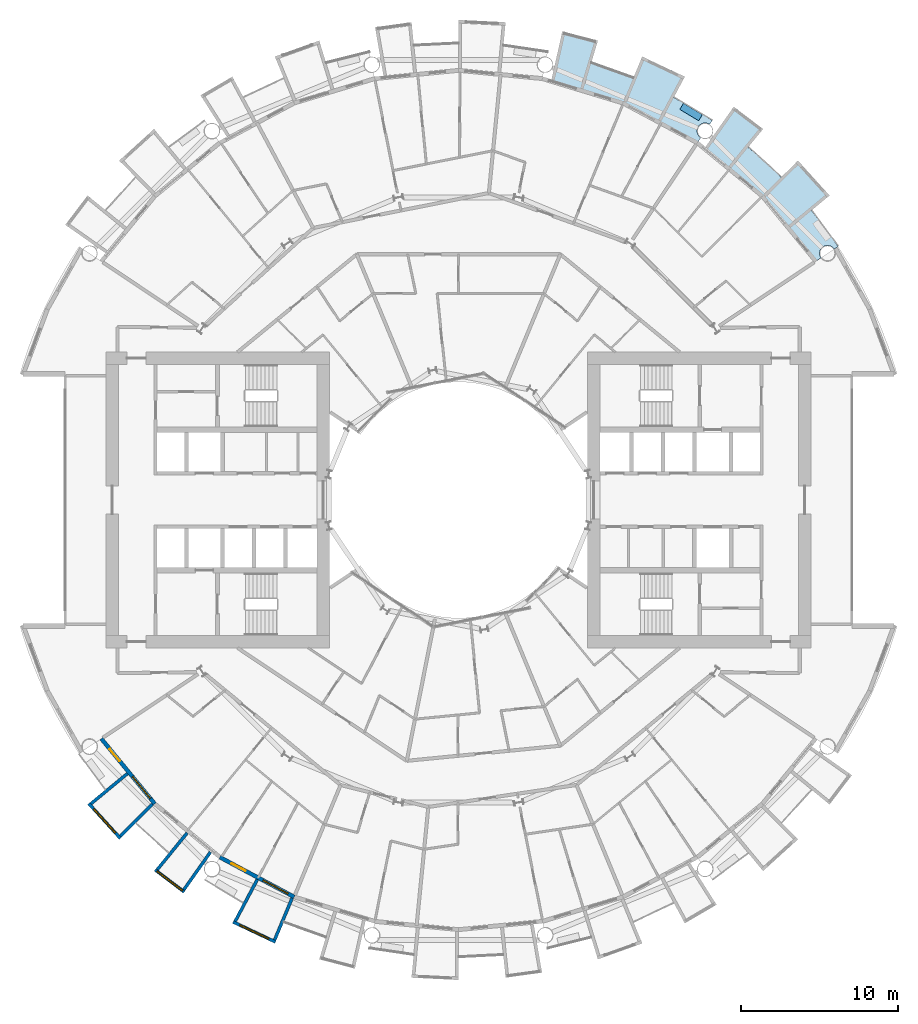
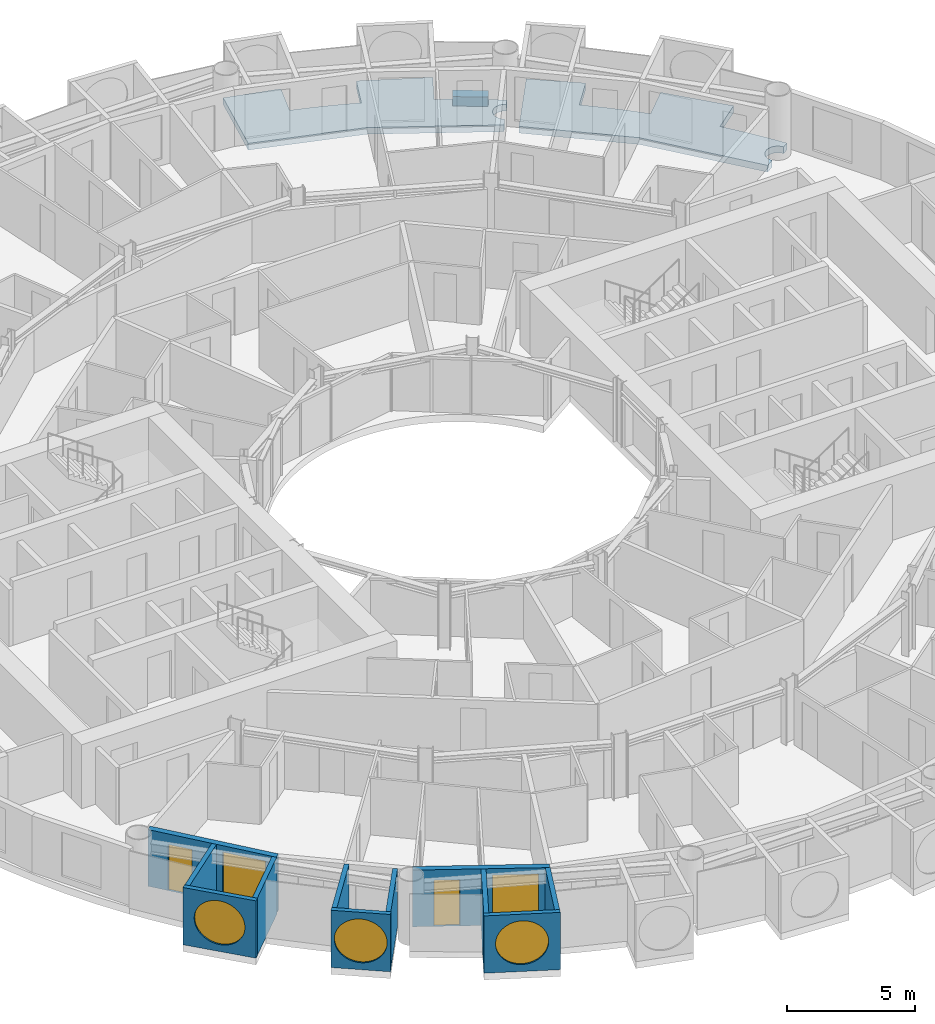
# One storey, part 12 of 26: 11 walls, 5 windows, 3 slabs, 2 doors, 7 openings.
"""IFC4 building model written with IfcOpenShell, lengths in metres."""

from ifc_helpers import new_model, si_unit, direction, frame, frame_2d, origin, place, context, subcontext, project, spatial, polyline, rectangle, circle, outline, extrude, material, layer, layer_set, type_object, element, fill, save


model = new_model("IFC4")

# Units and contexts
model_context = context("Model", 3, precision=1e-05, world=origin(), true_north=direction((0.0, 1.0)))
body_context = subcontext(model_context, "Body", "Model", "MODEL_VIEW")
ifc_project = project(units=[si_unit("LENGTHUNIT", "METRE"), si_unit("AREAUNIT", "SQUARE_METRE"), si_unit("VOLUMEUNIT", "CUBIC_METRE"), si_unit("PLANEANGLEUNIT", "RADIAN"), si_unit("MASSUNIT", "GRAM", prefix="KILO")], contexts=[model_context])

# Site, building, storey
site_placement = place(None, origin())
site = spatial("IfcSite", under=ifc_project, at=site_placement, CompositionType="ELEMENT")
building_placement = place(site_placement, origin())
building = spatial("IfcBuilding", under=site, at=building_placement, Name="Maasbend Ring Residences", CompositionType="ELEMENT")
storey_placement = place(building_placement, frame((0.0, 0.0, 38.050048828125)))
storey = spatial("IfcBuildingStorey", under=building, at=storey_placement, Name="L10", CompositionType="ELEMENT", Elevation=38.050048828125)

# Slabs
ifc_material_1 = material(Name="Planting with climbing greenery")
ifc_layer_1 = layer(ifc_material_1, 0.449951171875)
ifc_layer_set_1 = layer_set([ifc_layer_1], Name="PLANTER-LG")
slab_type_1 = type_object("IfcSlabType", Name="PLANTER-LG", PredefinedType="USERDEFINED", material=ifc_layer_set_1)
slab_1_placement = place(storey_placement, frame((0.0, 0.0, -0.030029296875)))
element("IfcSlab", 1, at=slab_1_placement, inside=storey, type_object=slab_type_1, Name="Planter with climbing greenery 2", ObjectType="PLANTER", PredefinedType="USERDEFINED", context=body_context, shape_type="SweptSolid", body=[
    extrude(outline(polyline([(15.490966796875, 24.48388671875), (14.291015625, 25.2041015625), (14.05908203125, 24.818115234375), (15.260009765625, 24.097900390625), (15.490966796875, 24.48388671875)])), origin(), (0.0, 0.0, 1.0), 0.449951171875),
])
ifc_material_2 = material(Name="Concrete C40/50", Category="concrete")
ifc_layer_2 = layer(ifc_material_2, 0.199951171875)
ifc_layer_set_2 = layer_set([ifc_layer_2], Name="Concrete C40/50")
slab_type_2 = type_object("IfcSlabType", Name="SL-LOGGIA", PredefinedType="FLOOR", material=ifc_layer_set_2)
slab_2_placement = place(storey_placement, frame((0.0, 0.0, -0.35009765625)))
element("IfcSlab", 2, at=slab_2_placement, inside=storey, type_object=slab_type_2, Name="Loggia floor 1", PredefinedType="FLOOR", context=body_context, shape_type="SweptSolid", body=[
    extrude(outline(polyline([(8.85400390625, 29.18701171875), (8.85400390625, 29.18701171875), (8.85400390625, 29.18701171875), (8.41796875, 27.751953125), (8.41796875, 27.751953125), (8.41796875, 27.751953125), (8.41796875, 27.751953125), (8.41796875, 27.751953125), (8.41796875, 27.751953125), (8.41796875, 27.7509765625), (8.41796875, 27.7509765625), (8.41796875, 27.7509765625), (8.41796875, 27.7509765625), (8.41796875, 27.7509765625), (8.4189453125, 27.7509765625), (8.4189453125, 27.7509765625), (8.4189453125, 27.7509765625), (8.4189453125, 27.7509765625), (8.4189453125, 27.7509765625), (8.4189453125, 27.7509765625), (9.322021484375, 27.4609375), (9.322021484375, 27.4609375), (10.215087890625, 27.14111328125), (10.215087890625, 27.14111328125), (11.096923828125, 26.79296875), (11.096923828125, 26.79296875), (11.096923828125, 26.79296875), (11.097900390625, 26.79296875), (11.097900390625, 26.79296875), (11.097900390625, 26.79296875), (11.097900390625, 26.79296875), (11.097900390625, 26.79296875), (11.097900390625, 26.79296875), (11.097900390625, 26.79296875), (11.097900390625, 26.79296875), (11.097900390625, 26.79296875), (11.097900390625, 26.79296875), (11.097900390625, 26.79296875), (11.097900390625, 26.79296875), (11.097900390625, 26.79296875), (11.097900390625, 26.79296875), (11.672119140625, 28.177978515625), (11.672119140625, 28.177978515625), (11.672119140625, 28.177978515625), (14.3779296875, 26.89892578125), (14.3779296875, 26.89892578125), (14.3779296875, 26.89892578125), (13.6708984375, 25.575927734375), (13.6708984375, 25.575927734375), (13.6708984375, 25.575927734375), (13.6708984375, 25.575927734375), (13.6708984375, 25.575927734375), (13.6708984375, 25.575927734375), (13.6708984375, 25.575927734375), (13.6708984375, 25.575927734375), (13.6708984375, 25.575927734375), (13.6708984375, 25.575927734375), (13.6708984375, 25.575927734375), (13.6708984375, 25.575927734375), (13.6708984375, 25.575927734375), (13.6708984375, 25.575927734375), (13.6708984375, 25.575927734375), (13.6708984375, 25.575927734375), (13.6708984375, 25.574951171875), (14.5, 25.114990234375), (14.5, 25.114990234375), (15.31396484375, 24.626953125), (15.31396484375, 24.626953125), (16.112060546875, 24.113037109375), (16.112060546875, 24.113037109375), (16.112060546875, 24.113037109375), (15.948974609375, 23.8701171875), (15.93896484375, 23.876953125), (15.927978515625, 23.883056640625), (15.9169921875, 23.888916015625), (15.906982421875, 23.89501953125), (15.89599609375, 23.90087890625), (15.884033203125, 23.906982421875), (15.873046875, 23.912109375), (15.862060546875, 23.9169921875), (15.85009765625, 23.9208984375), (15.837890625, 23.926025390625), (15.825927734375, 23.929931640625), (15.81494140625, 23.93408203125), (15.802978515625, 23.93701171875), (15.791015625, 23.93994140625), (15.778076171875, 23.943115234375), (15.76611328125, 23.946044921875), (15.75390625, 23.947998046875), (15.741943359375, 23.949951171875), (15.72900390625, 23.951904296875), (15.717041015625, 23.952880859375), (15.7041015625, 23.9541015625), (15.69189453125, 23.955078125), (15.679931640625, 23.955078125), (15.6669921875, 23.955078125), (15.655029296875, 23.955078125), (15.64208984375, 23.955078125), (15.6298828125, 23.9541015625), (15.616943359375, 23.952880859375), (15.60498046875, 23.951904296875), (15.593017578125, 23.949951171875), (15.580078125, 23.947998046875), (15.568115234375, 23.946044921875), (15.555908203125, 23.943115234375), (15.5439453125, 23.93994140625), (15.531982421875, 23.93701171875), (15.52001953125, 23.93408203125), (15.508056640625, 23.929931640625), (15.49609375, 23.926025390625), (15.48388671875, 23.9208984375), (15.472900390625, 23.9169921875), (15.4609375, 23.912109375), (15.449951171875, 23.906982421875), (15.43896484375, 23.90087890625), (15.427978515625, 23.89501953125), (15.4169921875, 23.888916015625), (15.406005859375, 23.883056640625), (15.39501953125, 23.876953125), (15.385009765625, 23.8701171875), (15.375, 23.863037109375), (15.364013671875, 23.85498046875), (15.35498046875, 23.847900390625), (15.344970703125, 23.840087890625), (15.3349609375, 23.83203125), (15.325927734375, 23.823974609375), (15.31689453125, 23.81494140625), (15.30810546875, 23.806884765625), (15.299072265625, 23.798095703125), (15.291015625, 23.7890625), (15.281982421875, 23.779052734375), (15.27392578125, 23.77001953125), (15.26708984375, 23.760009765625), (15.259033203125, 23.75), (15.251953125, 23.739990234375), (15.2451171875, 23.72998046875), (15.238037109375, 23.718994140625), (15.23095703125, 23.708984375), (15.22509765625, 23.697998046875), (15.218994140625, 23.68701171875), (15.212890625, 23.676025390625), (15.2080078125, 23.6650390625), (15.202880859375, 23.653076171875), (15.197998046875, 23.64208984375), (15.193115234375, 23.6298828125), (15.18896484375, 23.618896484375), (15.18505859375, 23.60693359375), (15.180908203125, 23.594970703125), (15.177978515625, 23.5830078125), (15.174072265625, 23.571044921875), (15.1708984375, 23.55908203125), (15.1689453125, 23.547119140625), (15.1669921875, 23.533935546875), (15.1650390625, 23.52197265625), (15.1630859375, 23.510009765625), (15.162109375, 23.4970703125), (15.159912109375, 23.485107421875), (15.159912109375, 23.471923828125), (15.158935546875, 23.4599609375), (15.158935546875, 23.447021484375), (15.158935546875, 23.43505859375), (15.159912109375, 23.422119140625), (15.159912109375, 23.409912109375), (15.162109375, 23.39794921875), (15.1630859375, 23.385009765625), (15.1650390625, 23.373046875), (15.1669921875, 23.361083984375), (15.1689453125, 23.347900390625), (15.1708984375, 23.3359375), (15.174072265625, 23.323974609375), (15.177978515625, 23.31201171875), (15.180908203125, 23.300048828125), (15.18505859375, 23.2880859375), (15.18896484375, 23.27587890625), (15.193115234375, 23.264892578125), (15.197998046875, 23.2529296875), (15.202880859375, 23.241943359375), (15.2080078125, 23.22998046875), (15.212890625, 23.218994140625), (15.218994140625, 23.2080078125), (15.22509765625, 23.197021484375), (15.23095703125, 23.18603515625), (15.238037109375, 23.176025390625), (15.2451171875, 23.1650390625), (15.251953125, 23.155029296875), (15.259033203125, 23.14501953125), (15.26708984375, 23.135009765625), (15.27392578125, 23.125), (15.281982421875, 23.115966796875), (15.291015625, 23.10595703125), (15.299072265625, 23.096923828125), (15.30810546875, 23.087890625), (15.31689453125, 23.0791015625), (15.325927734375, 23.071044921875), (15.3349609375, 23.06298828125), (15.344970703125, 23.054931640625), (15.35498046875, 23.047119140625), (15.364013671875, 23.0390625), (15.375, 23.031982421875), (15.385009765625, 23.02490234375), (15.1669921875, 22.698974609375), (15.1669921875, 22.698974609375), (15.1669921875, 22.698974609375), (12.806884765625, 23.9609375), (10.447021484375, 25.221923828125), (10.447021484375, 25.221923828125), (10.447021484375, 25.221923828125), (7.886962890625, 25.9990234375), (5.89111328125, 26.60400390625), (5.89111328125, 26.60400390625), (5.89111328125, 26.60400390625), (6.593994140625, 29.779052734375), (6.593994140625, 29.779052734375), (6.593994140625, 29.779052734375), (8.85400390625, 29.18701171875)])), origin(), (0.0, 0.0, 1.0), 0.320068359375),
])
slab_3_placement = place(storey_placement, frame((0.0, 0.0, -0.35009765625)))
element("IfcSlab", 3, at=slab_3_placement, inside=storey, type_object=slab_type_2, Name="Loggia floor 4", PredefinedType="FLOOR", context=body_context, shape_type="SweptSolid", body=[
    extrude(outline(polyline([(19.34912109375, 23.576904296875), (19.34912109375, 23.576904296875), (19.34912109375, 23.576904296875), (18.39794921875, 22.41796875), (18.39794921875, 22.41796875), (18.39794921875, 22.41796875), (18.39794921875, 22.41796875), (18.39794921875, 22.41796875), (18.39794921875, 22.4169921875), (18.39794921875, 22.4169921875), (18.39794921875, 22.4169921875), (18.39794921875, 22.4169921875), (18.39794921875, 22.4169921875), (18.39794921875, 22.4169921875), (18.39794921875, 22.4169921875), (18.39794921875, 22.4169921875), (18.39794921875, 22.4169921875), (18.39794921875, 22.4169921875), (18.39794921875, 22.4169921875), (18.39794921875, 22.4169921875), (19.12109375, 21.802978515625), (19.12109375, 21.802978515625), (19.823974609375, 21.166015625), (19.823974609375, 21.166015625), (20.506103515625, 20.506103515625), (20.506103515625, 20.506103515625), (20.506103515625, 20.506103515625), (20.506103515625, 20.506103515625), (20.506103515625, 20.506103515625), (20.506103515625, 20.506103515625), (20.506103515625, 20.506103515625), (20.506103515625, 20.506103515625), (20.506103515625, 20.506103515625), (20.506103515625, 20.506103515625), (20.506103515625, 20.506103515625), (20.506103515625, 20.506103515625), (20.506103515625, 20.506103515625), (20.506103515625, 20.506103515625), (20.506103515625, 20.506103515625), (20.506103515625, 20.506103515625), (20.506103515625, 20.506103515625), (21.56689453125, 21.56689453125), (21.56689453125, 21.56689453125), (21.56689453125, 21.56689453125), (23.576904296875, 19.34912109375), (23.576904296875, 19.34912109375), (23.576904296875, 19.34912109375), (22.41796875, 18.39794921875), (22.41796875, 18.39794921875), (22.41796875, 18.39794921875), (22.41796875, 18.39794921875), (22.41796875, 18.39794921875), (22.41796875, 18.39794921875), (22.41796875, 18.39697265625), (22.41796875, 18.39697265625), (22.41796875, 18.39697265625), (22.41796875, 18.39697265625), (22.41796875, 18.39697265625), (22.41796875, 18.39697265625), (22.41796875, 18.39697265625), (22.41796875, 18.39697265625), (22.41796875, 18.39697265625), (22.41796875, 18.39697265625), (22.41796875, 18.39697265625), (23.007080078125, 17.654052734375), (23.007080078125, 17.654052734375), (23.572998046875, 16.89208984375), (23.572998046875, 16.89208984375), (24.113037109375, 16.112060546875), (24.113037109375, 16.112060546875), (24.113037109375, 16.112060546875), (23.8701171875, 15.948974609375), (23.8701171875, 15.948974609375), (23.863037109375, 15.9599609375), (23.85498046875, 15.969970703125), (23.847900390625, 15.97998046875), (23.840087890625, 15.989013671875), (23.83203125, 15.9990234375), (23.823974609375, 16.008056640625), (23.81494140625, 16.01708984375), (23.806884765625, 16.02587890625), (23.798095703125, 16.034912109375), (23.7890625, 16.0439453125), (23.779052734375, 16.052001953125), (23.77001953125, 16.06005859375), (23.760009765625, 16.068115234375), (23.75, 16.074951171875), (23.739990234375, 16.08203125), (23.72998046875, 16.089111328125), (23.718994140625, 16.095947265625), (23.708984375, 16.10302734375), (23.697998046875, 16.10888671875), (23.68701171875, 16.114990234375), (23.676025390625, 16.12109375), (23.6650390625, 16.1259765625), (23.653076171875, 16.132080078125), (23.64208984375, 16.135986328125), (23.6298828125, 16.14111328125), (23.618896484375, 16.14501953125), (23.60693359375, 16.14892578125), (23.594970703125, 16.153076171875), (23.5830078125, 16.156982421875), (23.571044921875, 16.159912109375), (23.55908203125, 16.1630859375), (23.547119140625, 16.1650390625), (23.533935546875, 16.16796875), (23.52197265625, 16.169921875), (23.510009765625, 16.1708984375), (23.4970703125, 16.173095703125), (23.485107421875, 16.174072265625), (23.471923828125, 16.174072265625), (23.4599609375, 16.175048828125), (23.447021484375, 16.175048828125), (23.43505859375, 16.175048828125), (23.422119140625, 16.174072265625), (23.409912109375, 16.174072265625), (23.39794921875, 16.173095703125), (23.385009765625, 16.1708984375), (23.373046875, 16.169921875), (23.361083984375, 16.16796875), (23.347900390625, 16.1650390625), (23.3359375, 16.1630859375), (23.323974609375, 16.159912109375), (23.31201171875, 16.156982421875), (23.300048828125, 16.153076171875), (23.2880859375, 16.14892578125), (23.27587890625, 16.14501953125), (23.264892578125, 16.14111328125), (23.2529296875, 16.135986328125), (23.241943359375, 16.132080078125), (23.22998046875, 16.1259765625), (23.218994140625, 16.12109375), (23.2080078125, 16.114990234375), (23.197021484375, 16.10888671875), (23.18603515625, 16.10302734375), (23.176025390625, 16.095947265625), (23.1650390625, 16.089111328125), (23.155029296875, 16.08203125), (23.14501953125, 16.074951171875), (23.135009765625, 16.068115234375), (23.125, 16.06005859375), (23.115966796875, 16.052001953125), (23.10595703125, 16.0439453125), (23.096923828125, 16.034912109375), (23.087890625, 16.02587890625), (23.0791015625, 16.01708984375), (23.071044921875, 16.008056640625), (23.06298828125, 15.9990234375), (23.054931640625, 15.989013671875), (23.047119140625, 15.97998046875), (23.0390625, 15.969970703125), (23.031982421875, 15.9599609375), (23.02490234375, 15.948974609375), (23.01806640625, 15.93896484375), (23.011962890625, 15.927978515625), (23.0048828125, 15.9169921875), (22.9990234375, 15.906982421875), (22.993896484375, 15.89599609375), (22.988037109375, 15.884033203125), (22.98291015625, 15.873046875), (22.97802734375, 15.862060546875), (22.972900390625, 15.85009765625), (22.968994140625, 15.837890625), (22.965087890625, 15.825927734375), (22.9609375, 15.81494140625), (22.9580078125, 15.802978515625), (22.955078125, 15.791015625), (22.951904296875, 15.778076171875), (22.948974609375, 15.76611328125), (22.947021484375, 15.75390625), (22.945068359375, 15.741943359375), (22.943115234375, 15.72900390625), (22.94189453125, 15.717041015625), (22.94091796875, 15.7041015625), (22.93994140625, 15.69189453125), (22.93994140625, 15.679931640625), (22.93896484375, 15.6669921875), (22.93994140625, 15.655029296875), (22.93994140625, 15.64208984375), (22.94091796875, 15.6298828125), (22.94189453125, 15.616943359375), (22.943115234375, 15.60498046875), (22.945068359375, 15.593017578125), (22.947021484375, 15.580078125), (22.948974609375, 15.568115234375), (22.951904296875, 15.555908203125), (22.955078125, 15.5439453125), (22.9580078125, 15.531982421875), (22.9609375, 15.52001953125), (22.965087890625, 15.508056640625), (22.968994140625, 15.49609375), (22.972900390625, 15.48388671875), (22.97802734375, 15.472900390625), (22.98291015625, 15.4609375), (22.988037109375, 15.449951171875), (22.993896484375, 15.43896484375), (22.9990234375, 15.427978515625), (23.0048828125, 15.4169921875), (23.011962890625, 15.406005859375), (23.01806640625, 15.39501953125), (23.02490234375, 15.385009765625), (23.02490234375, 15.385009765625), (22.698974609375, 15.1669921875), (22.698974609375, 15.1669921875), (22.698974609375, 15.1669921875), (21.001953125, 17.236083984375), (19.303955078125, 19.303955078125), (19.303955078125, 19.303955078125), (19.303955078125, 19.303955078125), (17.236083984375, 21.001953125), (15.623046875, 22.324951171875), (15.623046875, 22.324951171875), (15.623046875, 22.324951171875), (17.488037109375, 24.989013671875), (17.488037109375, 24.989013671875), (17.488037109375, 24.989013671875), (19.34912109375, 23.576904296875)])), origin(), (0.0, 0.0, 1.0), 0.320068359375),
])

# Wall, opening, window
ifc_material_3 = material(Name="Pale anodised aluminium panel", Category="aluminium")
ifc_layer_3 = layer(ifc_material_3, 0.199951171875)
ifc_layer_set_3 = layer_set([ifc_layer_3], Name="EW-BOX")
wall_type_1 = type_object("IfcWallType", Name="EW-BOX", PredefinedType="SOLIDWALL", material=ifc_layer_set_3)
wall_1_placement = place(storey_placement, frame((-23.5029296875, -19.281982421875, -0.030029296875), z_axis=(0.0, 0.0, 1.0), x_axis=(0.671506829416, -0.740998365753, 0.0)))
wall_1 = element("IfcWall", 4, at=wall_1_placement, inside=storey, type_object=wall_type_1, Name="Box front S02", PredefinedType="SOLIDWALL", context=body_context, shape_type="SweptSolid", body=[
    extrude(rectangle(XDim=2.9931640625, YDim=0.199951171875, at=frame_2d((1.49658203125, 0.0))), origin(), (0.0, 0.0, 1.0), 2.72998046875),
])
opening_1_placement = place(wall_1_placement, frame((0.45654296875, 0.0, 0.330078125)))
opening_1 = element("IfcOpeningElement", 5, at=opening_1_placement, cuts=wall_1, Name="Opening W-RD", PredefinedType="OPENING", context=body_context, shape_type="SweptSolid", body=[
    extrude(circle(Radius=1.0400390625, at=frame_2d((1.0400390625, 1.0400390625))), frame((0.0, 0.10986328125, 0.0), z_axis=(0.0, -1.0, 0.0), x_axis=(1.0, 0.0, 0.0)), (0.0, 0.0, 1.0), 0.219970703125),
])
ifc_material_4 = material(Name="Aluminium and clear glass", Category="aluminium")
window_type_1 = type_object("IfcWindowType", Name="W-RD", PartitioningType="SINGLE_PANEL", PredefinedType="WINDOW", material=ifc_material_4)
window_1_placement = place(opening_1_placement, origin())
window_1 = element("IfcWindow", 6, at=window_1_placement, inside=storey, type_object=window_type_1, Name="Round window S02", OverallHeight=2.080078125, OverallWidth=2.080078125, PartitioningType="SINGLE_PANEL", PredefinedType="WINDOW", context=body_context, shape_type="SweptSolid", body=[
    extrude(circle(Radius=1.0400390625, at=frame_2d((1.0400390625, 1.0400390625))), frame((0.0, 0.030029296875, 0.0), z_axis=(0.0, -1.0, 0.0), x_axis=(1.0, 0.0, 0.0)), (0.0, 0.0, 1.0), 0.06005859375),
])
fill(opening_1, window_1)

# Walls
wall_2_placement = place(storey_placement, frame((-21.041015625, -17.384033203125, -0.030029296875), z_axis=(0.0, 0.0, 1.0), x_axis=(-0.770784861449, -0.63709551667, 0.0)))
element("IfcWall", 7, at=wall_2_placement, inside=storey, type_object=wall_type_1, Name="Box side wall S02 left", PredefinedType="SOLIDWALL", context=body_context, shape_type="SweptSolid", body=[
    extrude(rectangle(XDim=3.005859375, YDim=0.199951171875, at=frame_2d((1.5029296875, 0.0))), origin(), (0.0, 0.0, 1.0), 2.72998046875),
])
wall_3_placement = place(storey_placement, frame((-19.449951171875, -19.322998046875, -0.030029296875), z_axis=(0.0, 0.0, 1.0), x_axis=(-0.709727076896, -0.704476739375, 0.0)))
element("IfcWall", 8, at=wall_3_placement, inside=storey, type_object=wall_type_1, Name="Box side wall S02 right", PredefinedType="SOLIDWALL", context=body_context, shape_type="SweptSolid", body=[
    extrude(rectangle(XDim=2.883056640625, YDim=0.199951171875, at=frame_2d((1.44140625, 0.0))), origin(), (0.0, 0.0, 1.0), 2.72998046875),
])

# Wall, opening, window
wall_4_placement = place(storey_placement, frame((-19.2890625, -23.4970703125, -0.030029296875), z_axis=(0.0, 0.0, 1.0), x_axis=(0.796842165306, -0.60418752353, 0.0)))
wall_4 = element("IfcWall", 9, at=wall_4_placement, inside=storey, type_object=wall_type_1, Name="Box front S04", PredefinedType="SOLIDWALL", context=body_context, shape_type="SweptSolid", body=[
    extrude(rectangle(XDim=2.3369140625, YDim=0.199951171875, at=frame_2d((1.16845703125, 0.0))), origin(), (0.0, 0.0, 1.0), 2.72998046875),
])
opening_2_placement = place(wall_4_placement, frame((0.128173828125, 0.0, 0.330078125)))
opening_2 = element("IfcOpeningElement", 10, at=opening_2_placement, cuts=wall_4, Name="Opening W-RD", PredefinedType="OPENING", context=body_context, shape_type="SweptSolid", body=[
    extrude(circle(Radius=1.0400390625, at=frame_2d((1.0400390625, 1.0400390625))), frame((0.0, 0.10986328125, 0.0), z_axis=(0.0, -1.0, 0.0), x_axis=(1.0, 0.0, 0.0)), (0.0, 0.0, 1.0), 0.219970703125),
])
window_2_placement = place(opening_2_placement, origin())
window_2 = element("IfcWindow", 11, at=window_2_placement, inside=storey, type_object=window_type_1, Name="Round window S04", OverallHeight=2.080078125, OverallWidth=2.080078125, PartitioningType="SINGLE_PANEL", PredefinedType="WINDOW", context=body_context, shape_type="SweptSolid", body=[
    extrude(circle(Radius=1.0400390625, at=frame_2d((1.0400390625, 1.0400390625))), frame((0.0, 0.030029296875, 0.0), z_axis=(0.0, -1.0, 0.0), x_axis=(1.0, 0.0, 0.0)), (0.0, 0.0, 1.0), 0.06005859375),
])
fill(opening_2, window_2)

# Walls
wall_5_placement = place(storey_placement, frame((-17.24609375, -21.155029296875, -0.030029296875), z_axis=(0.0, 0.0, 1.0), x_axis=(-0.631741648902, -0.775179004516, 0.0)))
element("IfcWall", 12, at=wall_5_placement, inside=storey, type_object=wall_type_1, Name="Box side wall S04 left", PredefinedType="SOLIDWALL", context=body_context, shape_type="SweptSolid", body=[
    extrude(rectangle(XDim=3.005859375, YDim=0.199951171875, at=frame_2d((1.5029296875, 0.0))), origin(), (0.0, 0.0, 1.0), 2.72998046875),
])
wall_6_placement = place(storey_placement, frame((-15.764892578125, -22.3701171875, -0.030029296875), z_axis=(0.0, 0.0, 1.0), x_axis=(-0.576274612209, -0.817256123454, 0.0)))
element("IfcWall", 13, at=wall_6_placement, inside=storey, type_object=wall_type_1, Name="Box side wall S04 right", PredefinedType="SOLIDWALL", context=body_context, shape_type="SweptSolid", body=[
    extrude(rectangle(XDim=2.932861328125, YDim=0.199951171875, at=frame_2d((1.46630859375, 0.0))), origin(), (0.0, 0.0, 1.0), 2.72998046875),
])

# Wall, opening, window
wall_7_placement = place(storey_placement, frame((-14.3349609375, -26.80810546875, -0.030029296875), z_axis=(0.0, 0.0, 1.0), x_axis=(0.904000060331, -0.427532327342, 0.0)))
wall_7 = element("IfcWall", 14, at=wall_7_placement, inside=storey, type_object=wall_type_1, Name="Box front S06", PredefinedType="SOLIDWALL", context=body_context, shape_type="SweptSolid", body=[
    extrude(rectangle(XDim=2.993408203125, YDim=0.199951171875, at=frame_2d((1.49658203125, 0.0))), origin(), (0.0, 0.0, 1.0), 2.72998046875),
])
opening_3_placement = place(wall_7_placement, frame((0.45654296875, 0.0, 0.330078125)))
opening_3 = element("IfcOpeningElement", 15, at=opening_3_placement, cuts=wall_7, Name="Opening W-RD", PredefinedType="OPENING", context=body_context, shape_type="SweptSolid", body=[
    extrude(circle(Radius=1.0400390625, at=frame_2d((1.0400390625, 1.0400390625))), frame((0.0, 0.10986328125, 0.0), z_axis=(0.0, -1.0, 0.0), x_axis=(1.0, 0.0, 0.0)), (0.0, 0.0, 1.0), 0.219970703125),
])
window_3_placement = place(opening_3_placement, origin())
window_3 = element("IfcWindow", 16, at=window_3_placement, inside=storey, type_object=window_type_1, Name="Round window S06", OverallHeight=2.080078125, OverallWidth=2.080078125, PartitioningType="SINGLE_PANEL", PredefinedType="WINDOW", context=body_context, shape_type="SweptSolid", body=[
    extrude(circle(Radius=1.0400390625, at=frame_2d((1.0400390625, 1.0400390625))), frame((0.0, 0.030029296875, 0.0), z_axis=(0.0, -1.0, 0.0), x_axis=(1.0, 0.0, 0.0)), (0.0, 0.0, 1.0), 0.06005859375),
])
fill(opening_3, window_3)

# Walls
wall_8_placement = place(storey_placement, frame((-12.787109375, -24.113037109375, -0.030029296875), z_axis=(0.0, 0.0, 1.0), x_axis=(-0.468365282436, -0.883534924159, 0.0)))
element("IfcWall", 17, at=wall_8_placement, inside=storey, type_object=wall_type_1, Name="Box side wall S06 left", PredefinedType="SOLIDWALL", context=body_context, shape_type="SweptSolid", body=[
    extrude(rectangle(XDim=3.006103515625, YDim=0.199951171875, at=frame_2d((1.5029296875, 0.0))), origin(), (0.0, 0.0, 1.0), 2.72998046875),
])
wall_9_placement = place(storey_placement, frame((-10.574951171875, -25.294921875, -0.030029296875), z_axis=(0.0, 0.0, 1.0), x_axis=(-0.385697364644, -0.922625353492, 0.0)))
element("IfcWall", 18, at=wall_9_placement, inside=storey, type_object=wall_type_1, Name="Box side wall S06 right", PredefinedType="SOLIDWALL", context=body_context, shape_type="SweptSolid", body=[
    extrude(rectangle(XDim=2.88330078125, YDim=0.199951171875, at=frame_2d((1.441650390625, 0.0))), origin(), (0.0, 0.0, 1.0), 2.72998046875),
])

# Wall, openings, door, window
ifc_material_5 = material(Name="Aluminium clad insulated panel", Category="aluminium")
ifc_layer_4 = layer(ifc_material_5, 0.25)
ifc_layer_set_4 = layer_set([ifc_layer_4], Name="EW-GL")
wall_type_2 = type_object("IfcWallType", Name="EW-GL", PredefinedType="SOLIDWALL", material=ifc_layer_set_4)
wall_10_placement = place(storey_placement, frame((-22.698974609375, -15.1669921875, 0.0), z_axis=(0.0, 0.0, 1.0), x_axis=(0.634382322723, -0.773019449054, 0.0)))
wall_10 = element("IfcWall", 19, at=wall_10_placement, inside=storey, type_object=wall_type_2, Name="External wall S01", PredefinedType="SOLIDWALL", context=body_context, shape_type="SweptSolid", body=[
    extrude(rectangle(XDim=5.351806640625, YDim=0.25, at=frame_2d((2.67578125, 0.0))), origin(), (0.0, 0.0, 1.0), 2.699951171875),
])
opening_4_placement = place(wall_10_placement, frame((0.841064453125, 0.0, 0.0)))
opening_4 = element("IfcOpeningElement", 20, at=opening_4_placement, cuts=wall_10, Name="Opening D-LG", PredefinedType="OPENING", context=body_context, shape_type="SweptSolid", body=[
    extrude(rectangle(XDim=1.0, YDim=2.199951171875, at=frame_2d((0.5, 1.10009765625))), frame((0.0, 0.135009765625, 0.0), z_axis=(0.0, -1.0, 0.0), x_axis=(1.0, 0.0, 0.0)), (0.0, 0.0, 1.0), 0.27001953125),
])
opening_5_placement = place(wall_10_placement, frame((3.110595703125, 0.0, 0.300048828125)))
opening_5 = element("IfcOpeningElement", 21, at=opening_5_placement, cuts=wall_10, Name="Opening W-BX", PredefinedType="OPENING", context=body_context, shape_type="SweptSolid", body=[
    extrude(rectangle(XDim=1.800048828125, YDim=2.10009765625, at=frame_2d((0.89990234375, 1.050048828125))), frame((0.0, 0.135009765625, 0.0), z_axis=(0.0, -1.0, 0.0), x_axis=(1.0, 0.0, 0.0)), (0.0, 0.0, 1.0), 0.27001953125),
])
ifc_material_6 = material(Name="Aluminium and clear glass", Category="aluminium")
door_type = type_object("IfcDoorType", Name="D-LG", OperationType="SINGLE_SWING_LEFT", PredefinedType="DOOR", material=ifc_material_6)
door_1_placement = place(opening_4_placement, origin())
door_1 = element("IfcDoor", 22, at=door_1_placement, inside=storey, type_object=door_type, Name="Loggia door S01", OperationType="SINGLE_SWING_LEFT", OverallHeight=2.199951171875, OverallWidth=1.0, PredefinedType="DOOR", context=body_context, shape_type="SweptSolid", body=[
    extrude(rectangle(XDim=1.0, YDim=2.199951171875, at=frame_2d((0.5, 1.10009765625))), frame((0.0, 0.02490234375, 0.0), z_axis=(0.0, -1.0, 0.0), x_axis=(1.0, 0.0, 0.0)), (0.0, 0.0, 1.0), 0.050048828125),
])
fill(opening_4, door_1)
ifc_material_7 = material(Name="Aluminium and clear glass", Category="aluminium")
window_type_2 = type_object("IfcWindowType", Name="W-BX", PartitioningType="DOUBLE_PANEL_VERTICAL", PredefinedType="WINDOW", material=ifc_material_7)
window_4_placement = place(opening_5_placement, origin())
window_4 = element("IfcWindow", 23, at=window_4_placement, inside=storey, type_object=window_type_2, Name="Window S02 room to box", OverallHeight=2.10009765625, OverallWidth=1.800048828125, PartitioningType="SINGLE_PANEL", PredefinedType="WINDOW", context=body_context, shape_type="SweptSolid", body=[
    extrude(rectangle(XDim=1.800048828125, YDim=2.10009765625, at=frame_2d((0.89990234375, 1.050048828125))), frame((0.0, 0.030029296875, 0.0), z_axis=(0.0, -1.0, 0.0), x_axis=(1.0, 0.0, 0.0)), (0.0, 0.0, 1.0), 0.06005859375),
])
fill(opening_5, window_4)

wall_11_placement = place(storey_placement, frame((-15.1669921875, -22.698974609375, 0.0), z_axis=(0.0, 0.0, 1.0), x_axis=(0.881915646801, -0.471407246368, 0.0)))
wall_11 = element("IfcWall", 24, at=wall_11_placement, inside=storey, type_object=wall_type_2, Name="External wall S03", PredefinedType="SOLIDWALL", context=body_context, shape_type="SweptSolid", body=[
    extrude(rectangle(XDim=5.35205078125, YDim=0.25, at=frame_2d((2.676025390625, 0.0))), origin(), (0.0, 0.0, 1.0), 2.699951171875),
])
opening_6_placement = place(wall_11_placement, frame((0.841064453125, 0.0, 0.0)))
opening_6 = element("IfcOpeningElement", 25, at=opening_6_placement, cuts=wall_11, Name="Opening D-LG", PredefinedType="OPENING", context=body_context, shape_type="SweptSolid", body=[
    extrude(rectangle(XDim=1.0, YDim=2.199951171875, at=frame_2d((0.5, 1.10009765625))), frame((0.0, 0.135009765625, 0.0), z_axis=(0.0, -1.0, 0.0), x_axis=(1.0, 0.0, 0.0)), (0.0, 0.0, 1.0), 0.27001953125),
])
opening_7_placement = place(wall_11_placement, frame((3.110595703125, 0.0, 0.300048828125)))
opening_7 = element("IfcOpeningElement", 26, at=opening_7_placement, cuts=wall_11, Name="Opening W-BX", PredefinedType="OPENING", context=body_context, shape_type="SweptSolid", body=[
    extrude(rectangle(XDim=1.800048828125, YDim=2.10009765625, at=frame_2d((0.89990234375, 1.050048828125))), frame((0.0, 0.135009765625, 0.0), z_axis=(0.0, -1.0, 0.0), x_axis=(1.0, 0.0, 0.0)), (0.0, 0.0, 1.0), 0.27001953125),
])
door_2_placement = place(opening_6_placement, origin())
door_2 = element("IfcDoor", 27, at=door_2_placement, inside=storey, type_object=door_type, Name="Loggia door S05", OperationType="SINGLE_SWING_LEFT", OverallHeight=2.199951171875, OverallWidth=1.0, PredefinedType="DOOR", context=body_context, shape_type="SweptSolid", body=[
    extrude(rectangle(XDim=1.0, YDim=2.199951171875, at=frame_2d((0.5, 1.10009765625))), frame((0.0, 0.02490234375, 0.0), z_axis=(0.0, -1.0, 0.0), x_axis=(1.0, 0.0, 0.0)), (0.0, 0.0, 1.0), 0.050048828125),
])
fill(opening_6, door_2)
window_5_placement = place(opening_7_placement, origin())
window_5 = element("IfcWindow", 28, at=window_5_placement, inside=storey, type_object=window_type_2, Name="Window S06 room to box", OverallHeight=2.10009765625, OverallWidth=1.800048828125, PartitioningType="SINGLE_PANEL", PredefinedType="WINDOW", context=body_context, shape_type="SweptSolid", body=[
    extrude(rectangle(XDim=1.800048828125, YDim=2.10009765625, at=frame_2d((0.89990234375, 1.050048828125))), frame((0.0, 0.030029296875, 0.0), z_axis=(0.0, -1.0, 0.0), x_axis=(1.0, 0.0, 0.0)), (0.0, 0.0, 1.0), 0.06005859375),
])
fill(opening_7, window_5)

save(model, "model.ifc")
